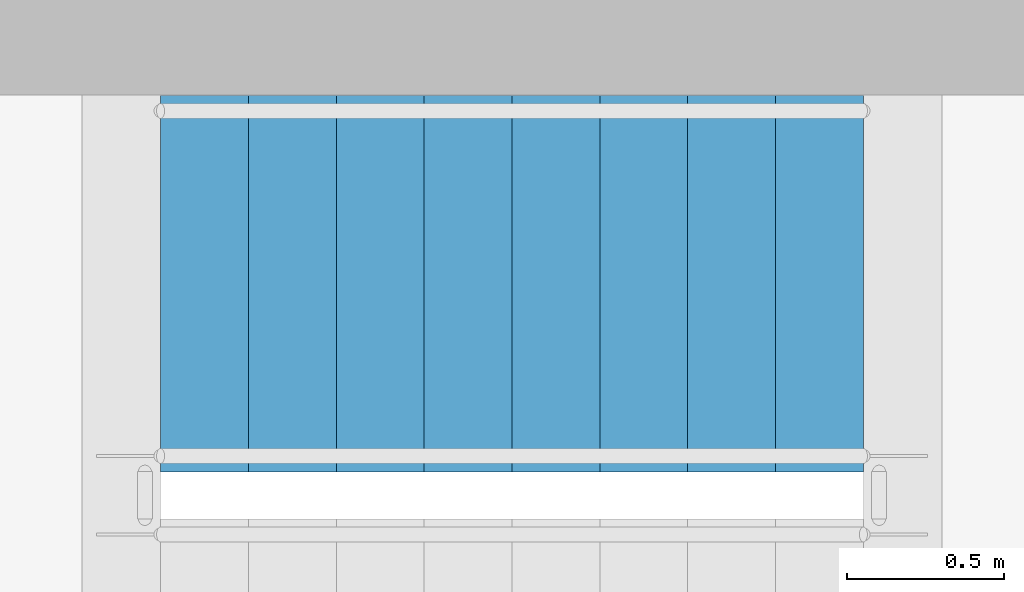
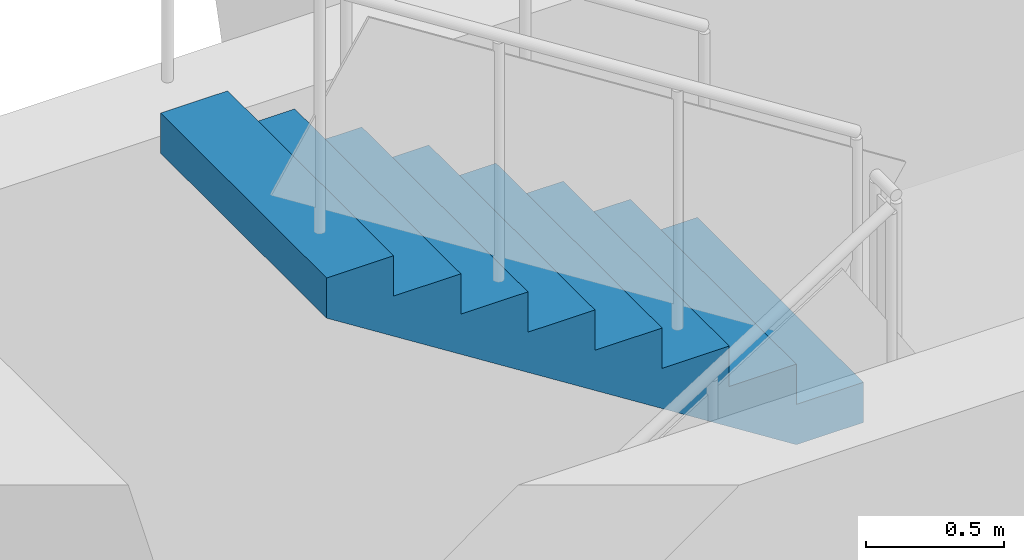
# One storey, part 12 of 16: 1 stair flight, 1 element without a shape of its own.
"""IFC4 building model written with IfcOpenShell, lengths in metres."""

from ifc_helpers import new_model, si_unit, direction, frame, origin, place, context, subcontext, project, spatial, polyline, outline, extrude, material, type_object, element, aggregate, save


model = new_model("IFC4")

# Units and contexts
model_context = context("Model", 3, precision=1e-05, world=origin(), true_north=direction((0.0, 1.0)))
body_context = subcontext(model_context, "Body", "Model", "MODEL_VIEW")
ifc_project = project(units=[si_unit("LENGTHUNIT", "METRE"), si_unit("AREAUNIT", "SQUARE_METRE"), si_unit("VOLUMEUNIT", "CUBIC_METRE"), si_unit("PLANEANGLEUNIT", "RADIAN"), si_unit("MASSUNIT", "GRAM", prefix="KILO")], contexts=[model_context])

# Site, building, storey
site_placement = place(None, origin())
site = spatial("IfcSite", under=ifc_project, at=site_placement, CompositionType="ELEMENT")
building_placement = place(site_placement, origin())
building = spatial("IfcBuilding", under=site, at=building_placement, Name="Vidyagriha Tower", CompositionType="ELEMENT")
storey_placement = place(building_placement, frame((0.0, 0.0, 217.199951171875)))
storey = spatial("IfcBuildingStorey", under=building, at=storey_placement, Name="L56", CompositionType="ELEMENT", Elevation=217.199951171875)

# Stair, stair flight
ifc_material_1 = material(Name="Concrete C40/50", Category="concrete")
stair_type = type_object("IfcStairType", Name="Exit stair, half-turn, precast flights", PredefinedType="HALF_TURN_STAIR", material=ifc_material_1)
stair_placement = place(storey_placement, origin())
stair = element("IfcStair", 1, at=stair_placement, inside=storey, type_object=stair_type, Name="L56 Exit Stair ST3", PredefinedType="HALF_TURN_STAIR")
ifc_material_2 = material(Name="Precast concrete C40/50", Category="concrete")
stair_flight_type = type_object("IfcStairFlightType", Name="Exit stair flight 1200 mm, precast", PredefinedType="STRAIGHT", material=ifc_material_2)
stair_flight_placement = place(storey_placement, frame((6.239990234375, 18.89990234375, 1.60009765625), z_axis=(0.0, 0.0, 1.0), x_axis=(-1.0, 0.0, 0.0)))
stair_flight = element("IfcStairFlight", 2, at=stair_flight_placement, type_object=stair_flight_type, Name="ST3 flight 2", NumberOfRisers=9, NumberOfTreads=8, PredefinedType="STRAIGHT", RiserHeight=0.177777778, TreadLength=0.28, context=body_context, shape_type="SweptSolid", body=[
    extrude(outline(polyline([(0.0, 0.0), (0.0, 0.177734375), (0.280029296875, 0.177734375), (0.280029296875, 0.35546875), (0.56005859375, 0.35546875), (0.56005859375, 0.533447265625), (0.840087890625, 0.533447265625), (0.840087890625, 0.711181640625), (1.1201171875, 0.711181640625), (1.1201171875, 0.888916015625), (1.39990234375, 0.888916015625), (1.39990234375, 1.066650390625), (1.679931640625, 1.066650390625), (1.679931640625, 1.244384765625), (1.9599609375, 1.244384765625), (1.9599609375, 1.422119140625), (2.239990234375, 1.422119140625), (2.239990234375, 1.60009765625), (2.239990234375, 1.24462890625), (0.27978515625, 0.0), (0.0, 0.0)])), frame((0.0, 0.60009765625, 0.0), z_axis=(0.0, -1.0, 0.0), x_axis=(1.0, 0.0, 0.0)), (0.0, 0.0, 1.0), 1.199951171875),
])
aggregate(stair, [stair_flight])

save(model, "model.ifc")
